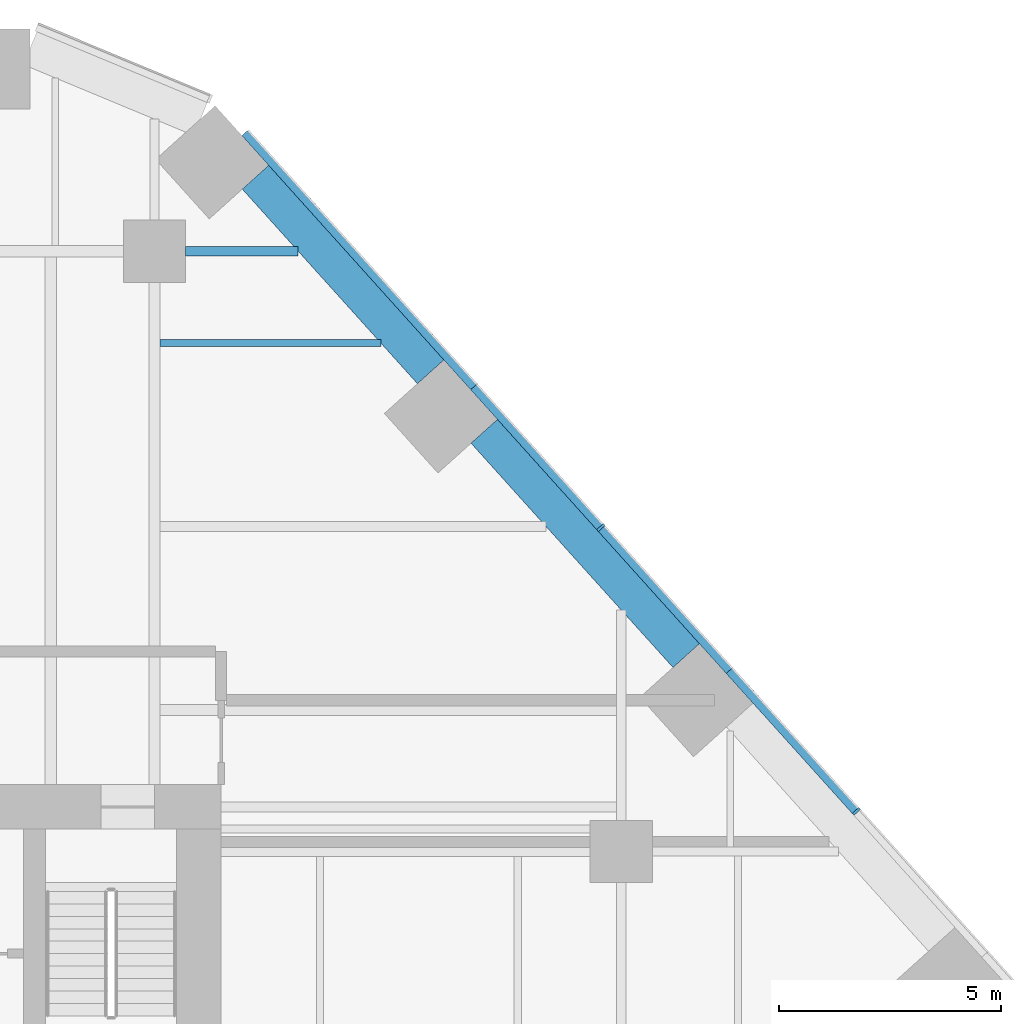
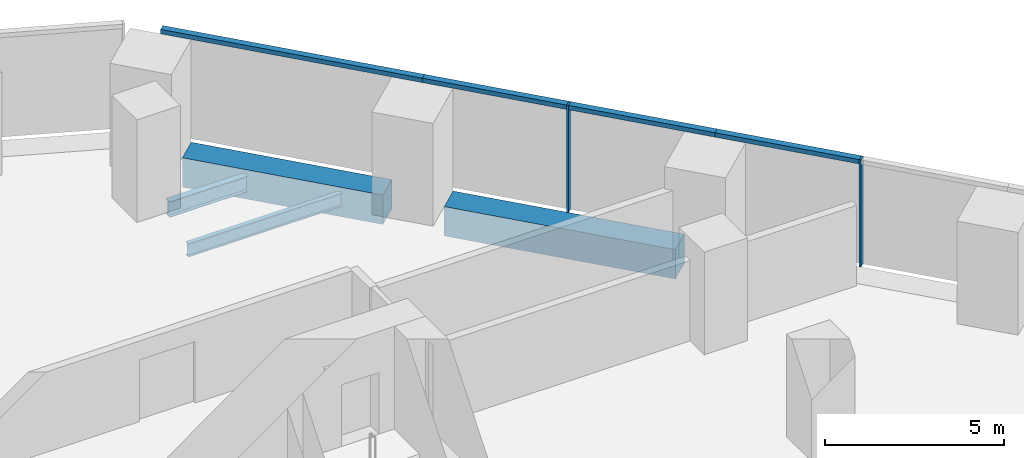
# One storey, part 10 of 20: 6 members, 4 beams, 1 element without a shape of its own.
"""IFC4 building model written with IfcOpenShell, lengths in metres."""

from ifc_helpers import new_model, si_unit, direction, frame, origin, origin_2d, place, context, subcontext, project, spatial, rectangle, i_section, extrude, material, layer, layer_set, material_profile, profile_set, type_object, element, aggregate, save


model = new_model("IFC4")

# Units and contexts
model_context = context("Model", 3, precision=1e-05, world=origin(), true_north=direction((0.0, 1.0)))
body_context = subcontext(model_context, "Body", "Model", "MODEL_VIEW")
ifc_project = project(units=[si_unit("LENGTHUNIT", "METRE"), si_unit("AREAUNIT", "SQUARE_METRE"), si_unit("VOLUMEUNIT", "CUBIC_METRE"), si_unit("PLANEANGLEUNIT", "RADIAN"), si_unit("MASSUNIT", "GRAM", prefix="KILO")], contexts=[model_context])

# Site, building, storey
site_placement = place(None, origin())
site = spatial("IfcSite", under=ifc_project, at=site_placement, CompositionType="ELEMENT")
building_placement = place(site_placement, origin())
building = spatial("IfcBuilding", under=site, at=building_placement, Name="Isthmus Gate Tower", CompositionType="ELEMENT")
storey_placement = place(building_placement, frame((0.0, 0.0, 65.199951171875)))
storey = spatial("IfcBuildingStorey", under=building, at=storey_placement, Name="L14", CompositionType="ELEMENT", Elevation=65.199951171875)

# Curtain wall, members
ifc_material_1 = material(Name="Aluminium, pale champagne anodised", Category="aluminium")
ifc_layer = layer(ifc_material_1, 0.199951171875)
ifc_layer_set = layer_set([ifc_layer], Name="CW-1 UNITISED CURTAIN WALL 200 DEEP")
curtain_wall_type = type_object("IfcCurtainWallType", Name="CW-1 UNITISED CURTAIN WALL 200 DEEP", PredefinedType="NOTDEFINED", material=ifc_layer_set)
curtain_wall_placement = place(storey_placement, origin())
curtain_wall = element("IfcCurtainWall", 1, at=curtain_wall_placement, inside=storey, type_object=curtain_wall_type, Name="CW-1 NE L14", PredefinedType="NOTDEFINED")
ifc_material_2 = material(Name="Aluminium, pale champagne anodised", Category="aluminium")
ifc_material_profile_1 = material_profile(ifc_material_2, rectangle(XDim=0.06005859375, YDim=0.199951171875, at=origin_2d()), Name="60x200")
ifc_profile_set_1 = profile_set([ifc_material_profile_1], Name="Aluminium, pale champagne anodised")
member_type_1 = type_object("IfcMemberType", Name="CW-1 MULLION 60 X 200", PredefinedType="MULLION", material=ifc_profile_set_1)
member_1_placement = place(storey_placement, frame((29.287841796875, 14.400146484375, 0.0), z_axis=(0.0, 0.0, 1.0), x_axis=(-0.669130606359, 0.743144825477, 0.0)))
member_1 = element("IfcMember", 2, at=member_1_placement, type_object=member_type_1, Name="CW-1 mullion", PredefinedType="MULLION", context=body_context, shape_type="SweptSolid", body=[
    extrude(rectangle(XDim=0.06005859375, YDim=0.199951171875, at=origin_2d()), origin(), (0.0, 0.0, 1.0), 3.650146484375),
])
member_2_placement = place(storey_placement, frame((23.54052734375, 20.783447265625, 0.0), z_axis=(0.0, 0.0, 1.0), x_axis=(-0.669130606359, 0.743144825477, 0.0)))
member_2 = element("IfcMember", 3, at=member_2_placement, type_object=member_type_1, Name="CW-1 mullion", PredefinedType="MULLION", context=body_context, shape_type="SweptSolid", body=[
    extrude(rectangle(XDim=0.06005859375, YDim=0.199951171875, at=origin_2d()), origin(), (0.0, 0.0, 1.0), 3.650146484375),
])
ifc_material_3 = material(Name="Aluminium, pale champagne anodised", Category="aluminium")
ifc_material_profile_2 = material_profile(ifc_material_3, rectangle(XDim=0.199951171875, YDim=0.14990234375, at=origin_2d()), Name="200x150")
ifc_profile_set_2 = profile_set([ifc_material_profile_2], Name="Aluminium, pale champagne anodised")
member_type_2 = type_object("IfcMemberType", Name="CW-1 TRANSOM 200 X 150", PredefinedType="USERDEFINED", material=ifc_profile_set_2)
member_3_placement = place(storey_placement, frame((29.267822265625, 14.422607421875, 3.574951171875), z_axis=(-0.669123979474, 0.743150792298, 0.0), x_axis=(-0.743150792298, -0.669123979474, 0.0)))
member_3 = element("IfcMember", 4, at=member_3_placement, type_object=member_type_2, Name="CW-1 transom", ObjectType="TRANSOM", PredefinedType="USERDEFINED", context=body_context, shape_type="SweptSolid", body=[
    extrude(rectangle(XDim=0.199951171875, YDim=0.14990234375, at=origin_2d()), origin(), (0.0, 0.0, 1.0), 4.234619140625),
])
member_4_placement = place(storey_placement, frame((26.434326171875, 17.569580078125, 3.574951171875), z_axis=(-0.669159437096, 0.743118865153, 0.0), x_axis=(-0.743118865153, -0.669159437096, 0.0)))
member_4 = element("IfcMember", 5, at=member_4_placement, type_object=member_type_2, Name="CW-1 transom", ObjectType="TRANSOM", PredefinedType="USERDEFINED", context=body_context, shape_type="SweptSolid", body=[
    extrude(rectangle(XDim=0.199951171875, YDim=0.14990234375, at=origin_2d()), origin(), (0.0, 0.0, 1.0), 4.294677734375),
])
member_5_placement = place(storey_placement, frame((23.520263671875, 20.8056640625, 3.574951171875), z_axis=(-0.669123979474, 0.743150792298, 0.0), x_axis=(-0.743150792298, -0.669123979474, 0.0)))
member_5 = element("IfcMember", 6, at=member_5_placement, type_object=member_type_2, Name="CW-1 transom", ObjectType="TRANSOM", PredefinedType="USERDEFINED", context=body_context, shape_type="SweptSolid", body=[
    extrude(rectangle(XDim=0.199951171875, YDim=0.14990234375, at=origin_2d()), origin(), (0.0, 0.0, 1.0), 4.234619140625),
])
member_6_placement = place(storey_placement, frame((20.686767578125, 23.95263671875, 3.574951171875), z_axis=(-0.669115577823, 0.743158356957, 0.0), x_axis=(-0.743158356957, -0.669115577823, 0.0)))
member_6 = element("IfcMember", 7, at=member_6_placement, type_object=member_type_2, Name="CW-1 transom", ObjectType="TRANSOM", PredefinedType="USERDEFINED", context=body_context, shape_type="SweptSolid", body=[
    extrude(rectangle(XDim=0.199951171875, YDim=0.14990234375, at=origin_2d()), origin(), (0.0, 0.0, 1.0), 7.689208984375),
])
aggregate(curtain_wall, [member_1, member_3, member_4, member_2, member_5, member_6])

# Beams
ifc_material_4 = material(Name="Concrete f'c 70 MPa", Category="concrete")
ifc_material_profile_3 = material_profile(ifc_material_4, rectangle(XDim=0.800048828125, YDim=1.0, at=origin_2d()), Name="RC 800X1000")
ifc_profile_set_3 = profile_set([ifc_material_profile_3], Name="Concrete f'c 70 MPa")
beam_type_1 = type_object("IfcBeamType", Name="RC SPANDREL 800 X 1000", PredefinedType="SPANDREL", material=ifc_profile_set_3)
beam_1_placement = place(storey_placement, frame((15.772216796875, 28.66357421875, -0.5), z_axis=(0.669141061586, -0.743135411415, 0.0), x_axis=(0.743135411415, 0.669141061586, 0.0)))
element("IfcBeam", 8, at=beam_1_placement, inside=storey, type_object=beam_type_1, Name="str-spandrel-L14-01", PredefinedType="SPANDREL", context=body_context, shape_type="SweptSolid", body=[
    extrude(rectangle(XDim=0.800048828125, YDim=1.0, at=origin_2d()), origin(), (0.0, 0.0, 1.0), 5.889404296875),
])
beam_2_placement = place(storey_placement, frame((20.91748046875, 22.94921875, -0.5), z_axis=(0.669135571547, -0.743140354772, 0.0), x_axis=(0.743140354772, 0.669135571547, 0.0)))
element("IfcBeam", 9, at=beam_2_placement, inside=storey, type_object=beam_type_1, Name="str-spandrel-L14-02", PredefinedType="SPANDREL", context=body_context, shape_type="SweptSolid", body=[
    extrude(rectangle(XDim=0.800048828125, YDim=1.0, at=origin_2d()), origin(), (0.0, 0.0, 1.0), 6.789306640625),
])
ifc_material_5 = material(Name="Structural steel ASTM A992 Gr 50", Category="steel")
ifc_material_profile_4 = material_profile(ifc_material_5, i_section(OverallWidth=0.15234375, OverallDepth=0.45068359375, WebThickness=0.0078125, FlangeThickness=0.010986328125, at=origin_2d()), Name="W18X35")
ifc_profile_set_4 = profile_set([ifc_material_profile_4], Name="Structural steel ASTM A992 Gr 50")
beam_type_2 = type_object("IfcBeamType", Name="STEEL FLOOR BEAM W18X35", PredefinedType="JOIST", material=ifc_profile_set_4)
beam_3_placement = place(storey_placement, frame((13.626953125, 24.935791015625, -0.375244140625), z_axis=(1.0, 0.0, 0.0), x_axis=(0.0, 1.0, 0.0)))
element("IfcBeam", 10, at=beam_3_placement, inside=storey, type_object=beam_type_2, Name="str-beam-L14-26-02", PredefinedType="JOIST", context=body_context, shape_type="SweptSolid", body=[
    extrude(i_section(OverallWidth=0.15234375, OverallDepth=0.45068359375, WebThickness=0.0078125, FlangeThickness=0.010986328125, at=origin_2d()), origin(), (0.0, 0.0, 1.0), 4.963623046875),
])
ifc_material_6 = material(Name="Structural steel ASTM A992 Gr 50", Category="steel")
ifc_material_profile_5 = material_profile(ifc_material_6, i_section(OverallWidth=0.20947265625, OverallDepth=0.533447265625, WebThickness=0.009521484375, FlangeThickness=0.015869140625, at=origin_2d()), Name="W21X62")
ifc_profile_set_5 = profile_set([ifc_material_profile_5], Name="Structural steel ASTM A992 Gr 50")
beam_type_3 = type_object("IfcBeamType", Name="STEEL GIRDER W21X62", PredefinedType="BEAM", material=ifc_profile_set_5)
beam_4_placement = place(storey_placement, frame((14.199951171875, 27.0, -0.416748046875), z_axis=(1.0, 0.0, 0.0), x_axis=(0.0, 1.0, 0.0)))
element("IfcBeam", 11, at=beam_4_placement, inside=storey, type_object=beam_type_3, Name="str-girder-L14-19", PredefinedType="BEAM", context=body_context, shape_type="SweptSolid", body=[
    extrude(i_section(OverallWidth=0.20947265625, OverallDepth=0.533447265625, WebThickness=0.009521484375, FlangeThickness=0.015869140625, at=origin_2d()), origin(), (0.0, 0.0, 1.0), 2.531982421875),
])

save(model, "model.ifc")
